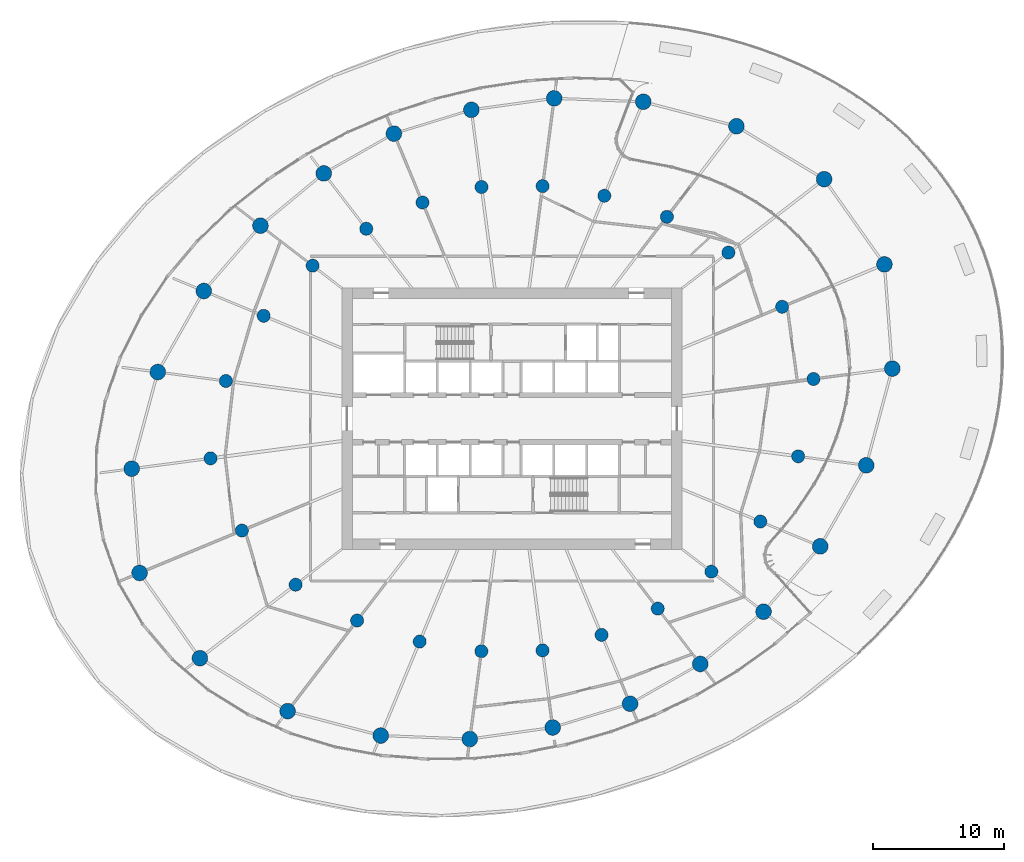
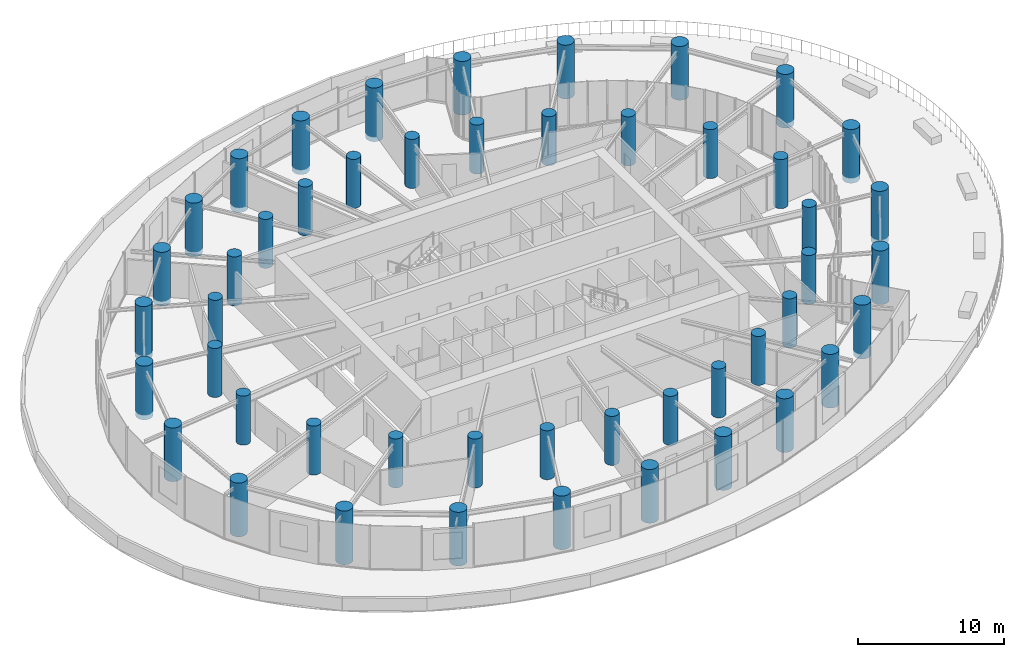
# One storey, part 1 of 24: 48 columns.
"""IFC4 building model written with IfcOpenShell, lengths in metres."""

from ifc_helpers import new_model, si_unit, direction, frame, origin, origin_2d, place, context, subcontext, project, spatial, circle, extrude, source, transform, mapped, material, material_profile, profile_set, type_object, element, save


model = new_model("IFC4")

# Units and contexts
model_context = context("Model", 3, precision=1e-05, world=origin(), true_north=direction((0.0, 1.0)))
body_context = subcontext(model_context, "Body", "Model", "MODEL_VIEW")
ifc_project = project(units=[si_unit("LENGTHUNIT", "METRE"), si_unit("AREAUNIT", "SQUARE_METRE"), si_unit("VOLUMEUNIT", "CUBIC_METRE"), si_unit("PLANEANGLEUNIT", "RADIAN"), si_unit("MASSUNIT", "GRAM", prefix="KILO")], contexts=[model_context])

# Site, building, storey
site_placement = place(None, origin())
site = spatial("IfcSite", under=ifc_project, at=site_placement, CompositionType="ELEMENT")
building_placement = place(site_placement, origin())
building = spatial("IfcBuilding", under=site, at=building_placement, Name="Spindrift Exchange Tower", CompositionType="ELEMENT")
storey_placement = place(building_placement, frame((0.0, 0.0, 79.800048828125)))
storey = spatial("IfcBuildingStorey", under=building, at=storey_placement, Name="L18", CompositionType="ELEMENT", Elevation=79.800048828125)

# Columns
ifc_material = material(Name="Concrete 65 MPa", Category="concrete")
ifc_material_profile_1 = material_profile(ifc_material, circle(Radius=0.60009765625, at=origin_2d()), Name="RC D1200")
ifc_profile_set_1 = profile_set([ifc_material_profile_1], Name="Concrete 65 MPa")
column_type_1 = type_object("IfcColumnType", Name="RC Perimeter Column D1200 Concrete 65 MPa", PredefinedType="COLUMN", material=ifc_profile_set_1)
shared_shape_1 = source(origin(), body_context, "Body", "SweptSolid", [
    extrude(circle(Radius=0.60009765625, at=origin_2d()), origin(), (0.0, 0.0, 1.0), 4.5),
])
for number, where, z_axis, x_axis, name in (
    (1, (81.056396484375, 51.8251953125, -0.400146484375), (0.0, 0.0, 1.0), (1.0, 0.0, 0.0), "Perimeter column P2-01 L18"),
    (2, (80.45556640625, 59.78662109375, -0.400146484375), (0.0, 0.0, 1.0), (1.0, 0.0, 0.0), "Perimeter column P2-02 L18"),
    (3, (75.84814453125, 66.29931640625, -0.400146484375), (0.0, 0.0, 1.0), (1.0, 0.0, 0.0), "Perimeter column P2-03 L18"),
    (4, (69.145751953125, 70.3447265625, -0.400146484375), (0.0, 0.0, 1.0), (1.0, 0.0, 0.0), "Perimeter column P2-04 L18"),
    (5, (62.029052734375, 72.212158203125, -0.400146484375), (0.0, 0.0, 1.0), (1.0, 0.0, 0.0), "Perimeter column P2-05 L18"),
    (6, (55.222412109375, 72.476806640625, -0.400146484375), (0.0, 0.0, 1.0), (1.0, 0.0, 0.0), "Perimeter column P2-06 L18"),
    (7, (48.8935546875, 71.595458984375, -0.400146484375), (0.0, 0.0, 1.0), (1.0, 0.0, 0.0), "Perimeter column P2-07 L18"),
    (8, (42.978271484375, 69.780517578125, -0.400146484375), (0.0, 0.0, 1.0), (1.0, 0.0, 0.0), "Perimeter column P2-08 L18"),
    (9, (37.617919921875, 66.742919921875, -0.400146484375), (0.0, 0.0, 1.0), (1.0, 0.0, 0.0), "Perimeter column P2-09 L18"),
    (10, (32.7802734375, 62.747802734375, -0.400146484375), (0.0, 0.0, 1.0), (1.0, 0.0, 0.0), "Perimeter column P2-10 L18"),
    (11, (28.4521484375, 57.75390625, -0.400146484375), (0.0, 0.0, 1.0), (1.0, 0.0, 0.0), "Perimeter column P2-11 L18"),
    (12, (24.935546875, 51.56298828125, -0.400146484375), (0.0, 0.0, 1.0), (1.0, 0.0, 0.0), "Perimeter column P2-12 L18"),
    (13, (22.943603515625, 44.1748046875, -0.400146484375), (0.0, 0.0, 1.0), (1.0, 0.0, 0.0), "Perimeter column P2-13 L18"),
    (14, (23.54443359375, 36.21337890625, -0.400146484375), (0.0, 0.0, 1.0), (1.0, 0.0, 0.0), "Perimeter column P2-14 L18"),
    (15, (28.15185546875, 29.70068359375, -0.400146484375), (0.0, 0.0, 1.0), (1.0, 0.0, 0.0), "Perimeter column P2-15 L18"),
    (16, (34.854248046875, 25.6552734375, -0.400146484375), (0.0, 0.0, 1.0), (1.0, 0.0, 0.0), "Perimeter column P2-16 L18"),
    (17, (41.970947265625, 23.787841796875, -0.400146484375), (0.0, 0.0, 1.0), (1.0, 0.0, 0.0), "Perimeter column P2-17 L18"),
    (18, (48.777587890625, 23.523193359375, -0.400146484375), (0.0, 0.0, 1.0), (1.0, 0.0, 0.0), "Perimeter column P2-18 L18"),
    (19, (55.1064453125, 24.404541015625, -0.400146484375), (0.0, 0.0, 1.0), (1.0, 0.0, 0.0), "Perimeter column P2-19 L18"),
    (20, (61.021728515625, 26.219482421875, -0.400146484375), (0.0, 0.0, 1.0), (1.0, 0.0, 0.0), "Perimeter column P2-20 L18"),
    (21, (66.382080078125, 29.257080078125, -0.400146484375), (0.0, 0.0, 1.0), (1.0, 0.0, 0.0), "Perimeter column P2-21 L18"),
    (22, (71.2197265625, 33.252197265625, -0.400146484375), (0.0, 0.0, 1.0), (1.0, 0.0, 0.0), "Perimeter column P2-22 L18"),
    (23, (75.5478515625, 38.24609375, -0.400146484375), (0.0, 0.0, 1.0), (1.0, 0.0, 0.0), "Perimeter column P2-23 L18"),
    (24, (79.064453125, 44.43701171875, -0.400146484375), (0.0, 0.0, 1.0), (1.0, 0.0, 0.0), "Perimeter column P2-24 L18"),
):
    element("IfcColumn", number, at=place(storey_placement, frame(where, z_axis=z_axis, x_axis=x_axis)), inside=storey, type_object=column_type_1, Name=name, PredefinedType="COLUMN", context=body_context, shape_type="MappedRepresentation", body=[
        mapped(shared_shape_1, transform((0.0, 0.0, 0.0), scale=1.0)),
    ])
ifc_material_profile_2 = material_profile(ifc_material, circle(Radius=0.5, at=origin_2d()), Name="RC D1000")
ifc_profile_set_2 = profile_set([ifc_material_profile_2], Name="Concrete 65 MPa")
column_type_2 = type_object("IfcColumnType", Name="RC Inner Column D1000 Concrete 65 MPa", PredefinedType="COLUMN", material=ifc_profile_set_2)
shared_shape_2 = source(origin(), body_context, "Body", "SweptSolid", [
    extrude(circle(Radius=0.5, at=origin_2d()), origin(), (0.0, 0.0, 1.0), 4.099853515625),
])
for number, where, z_axis, x_axis, name in (
    (25, (75.033935546875, 51.032470703125, 0.0), (0.0, 0.0, 1.0), (1.0, 0.0, 0.0), "Inner column Q2-01 L18"),
    (26, (72.639404296875, 56.549072265625, 0.0), (0.0, 0.0, 1.0), (1.0, 0.0, 0.0), "Inner column Q2-02 L18"),
    (27, (68.534912109375, 60.6875, 0.0), (0.0, 0.0, 1.0), (1.0, 0.0, 0.0), "Inner column Q2-03 L18"),
    (28, (63.835205078125, 63.423828125, 0.0), (0.0, 0.0, 1.0), (1.0, 0.0, 0.0), "Inner column Q2-04 L18"),
    (29, (59.0546875, 65.03125, 0.0), (0.0, 0.0, 1.0), (1.0, 0.0, 0.0), "Inner column Q2-05 L18"),
    (30, (54.339111328125, 65.767333984375, 0.0), (0.0, 0.0, 1.0), (1.0, 0.0, 0.0), "Inner column Q2-06 L18"),
    (31, (49.669189453125, 65.703125, 0.0), (0.0, 0.0, 1.0), (1.0, 0.0, 0.0), "Inner column Q2-07 L18"),
    (32, (45.158203125, 64.517578125, 0.0), (0.0, 0.0, 1.0), (1.0, 0.0, 0.0), "Inner column Q2-08 L18"),
    (33, (40.8662109375, 62.510009765625, 0.0), (0.0, 0.0, 1.0), (1.0, 0.0, 0.0), "Inner column Q2-09 L18"),
    (34, (36.767578125, 59.688232421875, 0.0), (0.0, 0.0, 1.0), (1.0, 0.0, 0.0), "Inner column Q2-10 L18"),
    (35, (33.027587890625, 55.858642578125, 0.0), (0.0, 0.0, 1.0), (1.0, 0.0, 0.0), "Inner column Q2-11 L18"),
    (36, (30.13671875, 50.87841796875, 0.0), (0.0, 0.0, 1.0), (1.0, 0.0, 0.0), "Inner column Q2-12 L18"),
    (37, (28.966064453125, 44.967529296875, 0.0), (0.0, 0.0, 1.0), (1.0, 0.0, 0.0), "Inner column Q2-13 L18"),
    (38, (31.360595703125, 39.450927734375, 0.0), (0.0, 0.0, 1.0), (1.0, 0.0, 0.0), "Inner column Q2-14 L18"),
    (39, (35.465087890625, 35.3125, 0.0), (0.0, 0.0, 1.0), (1.0, 0.0, 0.0), "Inner column Q2-15 L18"),
    (40, (40.164794921875, 32.576171875, 0.0), (0.0, 0.0, 1.0), (1.0, 0.0, 0.0), "Inner column Q2-16 L18"),
    (41, (44.9453125, 30.96875, 0.0), (0.0, 0.0, 1.0), (1.0, 0.0, 0.0), "Inner column Q2-17 L18"),
    (42, (49.660888671875, 30.232666015625, 0.0), (0.0, 0.0, 1.0), (1.0, 0.0, 0.0), "Inner column Q2-18 L18"),
    (43, (54.330810546875, 30.296875, 0.0), (0.0, 0.0, 1.0), (1.0, 0.0, 0.0), "Inner column Q2-19 L18"),
    (44, (58.841796875, 31.482421875, 0.0), (0.0, 0.0, 1.0), (1.0, 0.0, 0.0), "Inner column Q2-20 L18"),
    (45, (63.1337890625, 33.489990234375, 0.0), (0.0, 0.0, 1.0), (1.0, 0.0, 0.0), "Inner column Q2-21 L18"),
    (46, (67.232421875, 36.311767578125, 0.0), (0.0, 0.0, 1.0), (1.0, 0.0, 0.0), "Inner column Q2-22 L18"),
    (47, (70.972412109375, 40.141357421875, 0.0), (0.0, 0.0, 1.0), (1.0, 0.0, 0.0), "Inner column Q2-23 L18"),
    (48, (73.86328125, 45.12158203125, 0.0), (0.0, 0.0, 1.0), (1.0, 0.0, 0.0), "Inner column Q2-24 L18"),
):
    element("IfcColumn", number, at=place(storey_placement, frame(where, z_axis=z_axis, x_axis=x_axis)), inside=storey, type_object=column_type_2, Name=name, PredefinedType="COLUMN", context=body_context, shape_type="MappedRepresentation", body=[
        mapped(shared_shape_2, transform((0.0, 0.0, 0.0), scale=1.0)),
    ])

save(model, "model.ifc")
